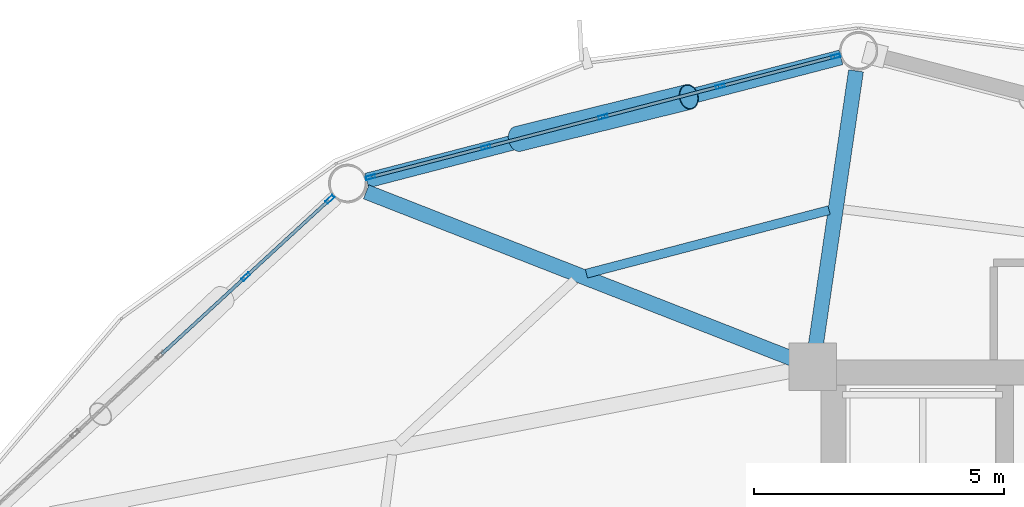
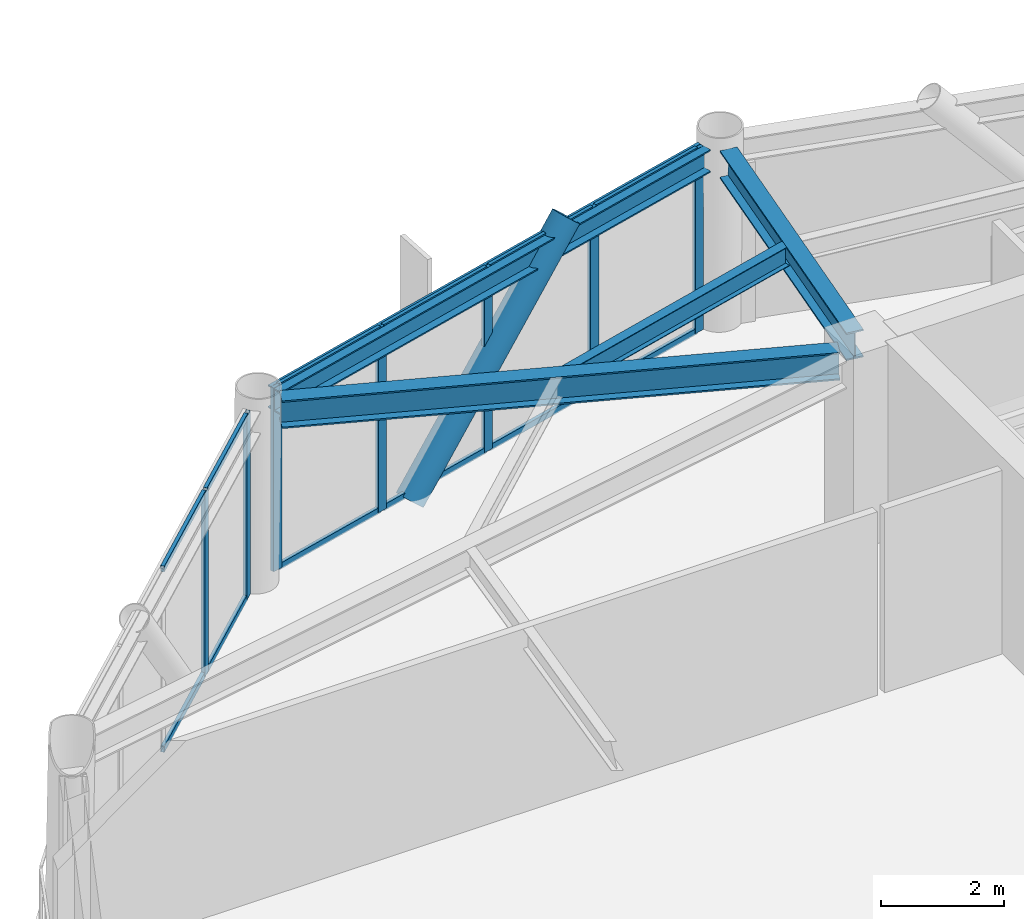
# One storey, part 17 of 24: 20 members, 4 beams, 2 elements without a shape of their own.
"""IFC4 building model written with IfcOpenShell, lengths in metres."""

from ifc_helpers import new_model, si_unit, direction, frame, origin, origin_2d, place, context, subcontext, project, spatial, hollow_rectangle, hollow_circle, i_section, extrude, material, layer, layer_set, material_profile, profile_set, type_object, element, aggregate, save


model = new_model("IFC4")

# Units and contexts
model_context = context("Model", 3, precision=1e-05, world=origin(), true_north=direction((0.0, 1.0)))
body_context = subcontext(model_context, "Body", "Model", "MODEL_VIEW")
ifc_project = project(units=[si_unit("LENGTHUNIT", "METRE"), si_unit("AREAUNIT", "SQUARE_METRE"), si_unit("VOLUMEUNIT", "CUBIC_METRE"), si_unit("PLANEANGLEUNIT", "RADIAN"), si_unit("MASSUNIT", "GRAM", prefix="KILO")], contexts=[model_context])

# Site, building, storey
site_placement = place(None, origin())
site = spatial("IfcSite", under=ifc_project, at=site_placement, CompositionType="ELEMENT")
building_placement = place(site_placement, origin())
building = spatial("IfcBuilding", under=site, at=building_placement, Name="Varnakorn Sky Granary", CompositionType="ELEMENT")
storey_placement = place(building_placement, frame((0.0, 0.0, 161.699951171875)))
storey = spatial("IfcBuildingStorey", under=building, at=storey_placement, Name="L40", CompositionType="ELEMENT", Elevation=161.699951171875)

# Beams
ifc_material_1 = material(Name="Steel S355JR", Category="steel")
ifc_material_profile_1 = material_profile(ifc_material_1, i_section(OverallWidth=0.300048828125, OverallDepth=0.550048828125, WebThickness=0.014892578125, FlangeThickness=0.029052734375, at=origin_2d()), Name="HE 550 B")
ifc_profile_set_1 = profile_set([ifc_material_profile_1], Name="Steel S355JR")
beam_type_1 = type_object("IfcBeamType", Name="BM-RAD-Z3", PredefinedType="BEAM", material=ifc_profile_set_1)
beam_1_placement = place(storey_placement, frame((-2.359130859375, 13.03564453125, 3.364990234375), z_axis=(0.145017308743, 0.989429118313, 0.0), x_axis=(-0.989429118313, 0.145017308743, 0.0)))
element("IfcBeam", 1, at=beam_1_placement, inside=storey, type_object=beam_type_1, Name="Radial Floor Girder RG04 L40", PredefinedType="BEAM", context=body_context, shape_type="SweptSolid", body=[
    extrude(i_section(OverallWidth=0.300048828125, OverallDepth=0.550048828125, WebThickness=0.014892578125, FlangeThickness=0.029052734375, at=origin_2d()), origin(), (0.0, 0.0, 1.0), 5.55908203125),
])
beam_2_placement = place(storey_placement, frame((-2.81103515625, 12.773193359375, 3.364990234375), z_axis=(-0.931199956697, 0.364508766215, 0.0), x_axis=(-0.364508766215, -0.931199956697, 0.0)))
element("IfcBeam", 2, at=beam_2_placement, inside=storey, type_object=beam_type_1, Name="Radial Floor Girder RG05 L40", PredefinedType="BEAM", context=body_context, shape_type="SweptSolid", body=[
    extrude(i_section(OverallWidth=0.300048828125, OverallDepth=0.550048828125, WebThickness=0.014892578125, FlangeThickness=0.029052734375, at=origin_2d()), origin(), (0.0, 0.0, 1.0), 9.169921875),
])
ifc_material_profile_2 = material_profile(ifc_material_1, i_section(OverallWidth=0.179931640625, OverallDepth=0.39990234375, WebThickness=0.008544921875, FlangeThickness=0.013427734375, at=origin_2d()), Name="IPE 400")
ifc_profile_set_2 = profile_set([ifc_material_profile_2], Name="Steel S355JR")
beam_type_2 = type_object("IfcBeamType", Name="BM-SEC-Z3", PredefinedType="BEAM", material=ifc_profile_set_2)
beam_3_placement = place(storey_placement, frame((-2.091552734375, 15.750244140625, 3.43994140625), z_axis=(-0.967419060301, -0.253180492468, 0.0), x_axis=(0.253180492468, -0.967419060301, 0.0)))
element("IfcBeam", 3, at=beam_3_placement, inside=storey, type_object=beam_type_2, Name="Secondary Floor Chord Beam MSB04 L40", PredefinedType="BEAM", context=body_context, shape_type="SweptSolid", body=[
    extrude(i_section(OverallWidth=0.179931640625, OverallDepth=0.39990234375, WebThickness=0.008544921875, FlangeThickness=0.013427734375, at=origin_2d()), origin(), (0.0, 0.0, 1.0), 5.017333984375),
])
ifc_material_profile_3 = material_profile(ifc_material_1, i_section(OverallWidth=0.300048828125, OverallDepth=0.449951171875, WebThickness=0.013916015625, FlangeThickness=0.02587890625, at=origin_2d()), Name="HE 450 B")
ifc_profile_set_3 = profile_set([ifc_material_profile_3], Name="Steel S355JR")
beam_type_3 = type_object("IfcBeamType", Name="BM-SPD-Z3", PredefinedType="SPANDREL", material=ifc_profile_set_3)
beam_4_placement = place(storey_placement, frame((-1.854248046875, 18.805908203125, 3.4150390625), z_axis=(-0.967844713662, -0.251548425232, 0.0), x_axis=(0.251548425232, -0.967844713662, 0.0)))
element("IfcBeam", 4, at=beam_4_placement, inside=storey, type_object=beam_type_3, Name="Perimeter Spandrel Ring Beam RB04 L40", PredefinedType="SPANDREL", context=body_context, shape_type="SweptSolid", body=[
    extrude(i_section(OverallWidth=0.300048828125, OverallDepth=0.449951171875, WebThickness=0.013916015625, FlangeThickness=0.02587890625, at=origin_2d()), origin(), (0.0, 0.0, 1.0), 9.797607421875),
])

# Curtain wall, members
ifc_material_2 = material(Name="Anodised Bronze Aluminium Alloy 6063-T6", Category="aluminium")
ifc_layer = layer(ifc_material_2, 0.179931640625, Name="Anodised Bronze Aluminium Alloy 6063-T6")
ifc_layer_set = layer_set([ifc_layer], Name="Anodised Bronze Aluminium Alloy 6063-T6")
curtain_wall_type = type_object("IfcCurtainWallType", Name="CW-FRM-2", PredefinedType="USERDEFINED", material=ifc_layer_set)
curtain_wall_1_placement = place(storey_placement, origin())
curtain_wall_1 = element("IfcCurtainWall", 5, at=curtain_wall_1_placement, inside=storey, type_object=curtain_wall_type, Name="Unitised Curtain Wall CW4 CW-L40-B04", ObjectType="CURTAIN WALL", PredefinedType="USERDEFINED")
ifc_material_profile_4 = material_profile(ifc_material_2, hollow_rectangle(XDim=0.070068359375, YDim=0.18505859375, WallThickness=0.00390625, at=origin_2d()), Name="ALU MULL 70x185")
ifc_profile_set_4 = profile_set([ifc_material_profile_4], Name="Anodised Bronze Aluminium Alloy 6063-T6")
member_type_1 = type_object("IfcMemberType", Name="CW-FRM-2-MULL", PredefinedType="MULLION", material=ifc_profile_set_4)
member_1_placement = place(storey_placement, frame((-11.263427734375, 16.409423828125, 0.0), z_axis=(0.0, 0.0, 1.0), x_axis=(-0.251362548835, 0.967893004956, 0.0)))
member_1 = element("IfcMember", 6, at=member_1_placement, type_object=member_type_1, Name="CW4 mullion 1", PredefinedType="MULLION", context=body_context, shape_type="SweptSolid", body=[
    extrude(hollow_rectangle(XDim=0.070068359375, YDim=0.18505859375, WallThickness=0.00390625, at=origin_2d()), origin(), (0.0, 0.0, 1.0), 3.64013671875),
])
member_2_placement = place(storey_placement, frame((-8.95458984375, 17.009033203125, 0.0), z_axis=(0.0, 0.0, 1.0), x_axis=(-0.251362548835, 0.967893004956, 0.0)))
member_2 = element("IfcMember", 7, at=member_2_placement, type_object=member_type_1, Name="CW4 mullion 2", PredefinedType="MULLION", context=body_context, shape_type="SweptSolid", body=[
    extrude(hollow_rectangle(XDim=0.070068359375, YDim=0.18505859375, WallThickness=0.00390625, at=origin_2d()), origin(), (0.0, 0.0, 1.0), 3.64013671875),
])
member_3_placement = place(storey_placement, frame((-6.612060546875, 17.617431640625, 0.0), z_axis=(0.0, 0.0, 1.0), x_axis=(-0.251362548835, 0.967893004956, 0.0)))
member_3 = element("IfcMember", 8, at=member_3_placement, type_object=member_type_1, Name="CW4 mullion 3", PredefinedType="MULLION", context=body_context, shape_type="SweptSolid", body=[
    extrude(hollow_rectangle(XDim=0.070068359375, YDim=0.18505859375, WallThickness=0.00390625, at=origin_2d()), origin(), (0.0, 0.0, 1.0), 3.64013671875),
])
member_4_placement = place(storey_placement, frame((-4.269287109375, 18.225830078125, 0.0), z_axis=(0.0, 0.0, 1.0), x_axis=(-0.251362548835, 0.967893004956, 0.0)))
member_4 = element("IfcMember", 9, at=member_4_placement, type_object=member_type_1, Name="CW4 mullion 4", PredefinedType="MULLION", context=body_context, shape_type="SweptSolid", body=[
    extrude(hollow_rectangle(XDim=0.070068359375, YDim=0.18505859375, WallThickness=0.00390625, at=origin_2d()), origin(), (0.0, 0.0, 1.0), 3.64013671875),
])
member_5_placement = place(storey_placement, frame((-1.960693359375, 18.825439453125, 0.0), z_axis=(0.0, 0.0, 1.0), x_axis=(-0.251362548835, 0.967893004956, 0.0)))
member_5 = element("IfcMember", 10, at=member_5_placement, type_object=member_type_1, Name="CW4 mullion 5", PredefinedType="MULLION", context=body_context, shape_type="SweptSolid", body=[
    extrude(hollow_rectangle(XDim=0.070068359375, YDim=0.18505859375, WallThickness=0.00390625, at=origin_2d()), origin(), (0.0, 0.0, 1.0), 3.64013671875),
])

curtain_wall_2_placement = place(storey_placement, origin())
curtain_wall_2 = element("IfcCurtainWall", 11, at=curtain_wall_2_placement, inside=storey, type_object=curtain_wall_type, Name="Unitised Curtain Wall CW4 CW-L40-B05", ObjectType="CURTAIN WALL", PredefinedType="USERDEFINED")
member_6_placement = place(storey_placement, frame((-13.75732421875, 14.41943359375, 0.0), z_axis=(0.0, 0.0, 1.0), x_axis=(-0.677011277308, 0.735972642425, 0.0)))
member_6 = element("IfcMember", 12, at=member_6_placement, type_object=member_type_1, Name="CW4 mullion 4", PredefinedType="MULLION", context=body_context, shape_type="SweptSolid", body=[
    extrude(hollow_rectangle(XDim=0.070068359375, YDim=0.18505859375, WallThickness=0.00390625, at=origin_2d()), origin(), (0.0, 0.0, 1.0), 3.64013671875),
])
member_7_placement = place(storey_placement, frame((-12.074462890625, 15.967529296875, 0.0), z_axis=(0.0, 0.0, 1.0), x_axis=(-0.677011277308, 0.735972642425, 0.0)))
member_7 = element("IfcMember", 13, at=member_7_placement, type_object=member_type_1, Name="CW4 mullion 5", PredefinedType="MULLION", context=body_context, shape_type="SweptSolid", body=[
    extrude(hollow_rectangle(XDim=0.070068359375, YDim=0.18505859375, WallThickness=0.00390625, at=origin_2d()), origin(), (0.0, 0.0, 1.0), 3.64013671875),
])

# Member
ifc_material_profile_5 = material_profile(ifc_material_2, hollow_rectangle(XDim=0.06494140625, YDim=0.1201171875, WallThickness=0.00341796875, at=origin_2d()), Name="ALU TRAN 65x120")
ifc_profile_set_5 = profile_set([ifc_material_profile_5], Name="Anodised Bronze Aluminium Alloy 6063-T6")
member_type_2 = type_object("IfcMemberType", Name="CW-FRM-2-TRAN", PredefinedType="USERDEFINED", material=ifc_profile_set_5)
member_8_placement = place(storey_placement, frame((-11.2294921875, 16.418212890625, 0.032470703125), z_axis=(0.967887701378, 0.251382969832, 0.0), x_axis=(-0.251382969832, 0.967887701378, 0.0)))
member_8 = element("IfcMember", 14, at=member_8_placement, type_object=member_type_2, Name="CW4 transom 1.1", ObjectType="TRANSOM", PredefinedType="USERDEFINED", context=body_context, shape_type="SweptSolid", body=[
    extrude(hollow_rectangle(XDim=0.06494140625, YDim=0.1201171875, WallThickness=0.00341796875, at=origin_2d()), origin(), (0.0, 0.0, 1.0), 2.3154296875),
])

member_9_placement = place(storey_placement, frame((-11.2294921875, 16.418212890625, 3.607666015625), z_axis=(0.967887701378, 0.251382969832, 0.0), x_axis=(-0.251382969832, 0.967887701378, 0.0)))
member_9 = element("IfcMember", 15, at=member_9_placement, type_object=member_type_2, Name="CW4 transom 1.2", ObjectType="TRANSOM", PredefinedType="USERDEFINED", context=body_context, shape_type="SweptSolid", body=[
    extrude(hollow_rectangle(XDim=0.06494140625, YDim=0.1201171875, WallThickness=0.00341796875, at=origin_2d()), origin(), (0.0, 0.0, 1.0), 2.3154296875),
])

member_10_placement = place(storey_placement, frame((-8.920654296875, 17.017822265625, 0.032470703125), z_axis=(0.967883702921, 0.251398364395, 0.0), x_axis=(-0.251398364395, 0.967883702921, 0.0)))
member_10 = element("IfcMember", 16, at=member_10_placement, type_object=member_type_2, Name="CW4 transom 2.1", ObjectType="TRANSOM", PredefinedType="USERDEFINED", context=body_context, shape_type="SweptSolid", body=[
    extrude(hollow_rectangle(XDim=0.06494140625, YDim=0.1201171875, WallThickness=0.00341796875, at=origin_2d()), origin(), (0.0, 0.0, 1.0), 2.35009765625),
])

member_11_placement = place(storey_placement, frame((-8.920654296875, 17.017822265625, 3.607666015625), z_axis=(0.967883702921, 0.251398364395, 0.0), x_axis=(-0.251398364395, 0.967883702921, 0.0)))
member_11 = element("IfcMember", 17, at=member_11_placement, type_object=member_type_2, Name="CW4 transom 2.2", ObjectType="TRANSOM", PredefinedType="USERDEFINED", context=body_context, shape_type="SweptSolid", body=[
    extrude(hollow_rectangle(XDim=0.06494140625, YDim=0.1201171875, WallThickness=0.00341796875, at=origin_2d()), origin(), (0.0, 0.0, 1.0), 2.35009765625),
])

member_12_placement = place(storey_placement, frame((-6.578125, 17.626220703125, 0.032470703125), z_axis=(0.967890267494, 0.251373089433, 0.0), x_axis=(-0.251373089433, 0.967890267494, 0.0)))
member_12 = element("IfcMember", 18, at=member_12_placement, type_object=member_type_2, Name="CW4 transom 3.1", ObjectType="TRANSOM", PredefinedType="USERDEFINED", context=body_context, shape_type="SweptSolid", body=[
    extrude(hollow_rectangle(XDim=0.06494140625, YDim=0.1201171875, WallThickness=0.00341796875, at=origin_2d()), origin(), (0.0, 0.0, 1.0), 2.350341796875),
])

member_13_placement = place(storey_placement, frame((-6.578125, 17.626220703125, 3.607666015625), z_axis=(0.967890267494, 0.251373089433, 0.0), x_axis=(-0.251373089433, 0.967890267494, 0.0)))
member_13 = element("IfcMember", 19, at=member_13_placement, type_object=member_type_2, Name="CW4 transom 3.2", ObjectType="TRANSOM", PredefinedType="USERDEFINED", context=body_context, shape_type="SweptSolid", body=[
    extrude(hollow_rectangle(XDim=0.06494140625, YDim=0.1201171875, WallThickness=0.00341796875, at=origin_2d()), origin(), (0.0, 0.0, 1.0), 2.350341796875),
])

member_14_placement = place(storey_placement, frame((-4.235595703125, 18.234619140625, 0.032470703125), z_axis=(0.967887701378, 0.251382969832, 0.0), x_axis=(-0.251382969832, 0.967887701378, 0.0)))
member_14 = element("IfcMember", 20, at=member_14_placement, type_object=member_type_2, Name="CW4 transom 4.1", ObjectType="TRANSOM", PredefinedType="USERDEFINED", context=body_context, shape_type="SweptSolid", body=[
    extrude(hollow_rectangle(XDim=0.06494140625, YDim=0.1201171875, WallThickness=0.00341796875, at=origin_2d()), origin(), (0.0, 0.0, 1.0), 2.3154296875),
])

member_15_placement = place(storey_placement, frame((-4.235595703125, 18.234619140625, 3.607666015625), z_axis=(0.967887701378, 0.251382969832, 0.0), x_axis=(-0.251382969832, 0.967887701378, 0.0)))
member_15 = element("IfcMember", 21, at=member_15_placement, type_object=member_type_2, Name="CW4 transom 4.2", ObjectType="TRANSOM", PredefinedType="USERDEFINED", context=body_context, shape_type="SweptSolid", body=[
    extrude(hollow_rectangle(XDim=0.06494140625, YDim=0.1201171875, WallThickness=0.00341796875, at=origin_2d()), origin(), (0.0, 0.0, 1.0), 2.3154296875),
])

aggregate(curtain_wall_1, [member_1, member_2, member_3, member_4, member_5, member_8, member_9, member_10, member_11, member_12, member_13, member_14, member_15])

member_16_placement = place(storey_placement, frame((-15.4404296875, 12.87109375, 0.032470703125), z_axis=(0.735928850951, 0.677058879521, 0.0), x_axis=(-0.677058879521, 0.735928850951, 0.0)))
member_16 = element("IfcMember", 22, at=member_16_placement, type_object=member_type_2, Name="CW4 transom 3.1", ObjectType="TRANSOM", PredefinedType="USERDEFINED", context=body_context, shape_type="SweptSolid", body=[
    extrude(hollow_rectangle(XDim=0.06494140625, YDim=0.1201171875, WallThickness=0.00341796875, at=origin_2d()), origin(), (0.0, 0.0, 1.0), 2.251953125),
])

member_17_placement = place(storey_placement, frame((-15.4404296875, 12.87109375, 3.607666015625), z_axis=(0.735928850951, 0.677058879521, 0.0), x_axis=(-0.677058879521, 0.735928850951, 0.0)))
member_17 = element("IfcMember", 23, at=member_17_placement, type_object=member_type_2, Name="CW4 transom 3.2", ObjectType="TRANSOM", PredefinedType="USERDEFINED", context=body_context, shape_type="SweptSolid", body=[
    extrude(hollow_rectangle(XDim=0.06494140625, YDim=0.1201171875, WallThickness=0.00341796875, at=origin_2d()), origin(), (0.0, 0.0, 1.0), 2.251953125),
])

member_18_placement = place(storey_placement, frame((-13.731689453125, 14.443115234375, 0.032470703125), z_axis=(0.736005636807, 0.676975407669, 0.0), x_axis=(-0.676975407669, 0.736005636807, 0.0)))
member_18 = element("IfcMember", 24, at=member_18_placement, type_object=member_type_2, Name="CW4 transom 4.1", ObjectType="TRANSOM", PredefinedType="USERDEFINED", context=body_context, shape_type="SweptSolid", body=[
    extrude(hollow_rectangle(XDim=0.06494140625, YDim=0.1201171875, WallThickness=0.00341796875, at=origin_2d()), origin(), (0.0, 0.0, 1.0), 2.216796875),
])

member_19_placement = place(storey_placement, frame((-13.731689453125, 14.443115234375, 3.607666015625), z_axis=(0.736005636807, 0.676975407669, 0.0), x_axis=(-0.676975407669, 0.736005636807, 0.0)))
member_19 = element("IfcMember", 25, at=member_19_placement, type_object=member_type_2, Name="CW4 transom 4.2", ObjectType="TRANSOM", PredefinedType="USERDEFINED", context=body_context, shape_type="SweptSolid", body=[
    extrude(hollow_rectangle(XDim=0.06494140625, YDim=0.1201171875, WallThickness=0.00341796875, at=origin_2d()), origin(), (0.0, 0.0, 1.0), 2.216796875),
])

aggregate(curtain_wall_2, [member_6, member_7, member_16, member_17, member_18, member_19])

ifc_material_3 = material(Name="Steel S460M", Category="steel")
ifc_material_profile_6 = material_profile(ifc_material_3, hollow_circle(Radius=0.25390625, WallThickness=0.01806640625, at=origin_2d()), Name="CHS 508x18")
ifc_profile_set_6 = profile_set([ifc_material_profile_6], Name="Steel S460M")
member_type_3 = type_object("IfcMemberType", Name="MB-DIAG-T2", PredefinedType="BRACE", material=ifc_profile_set_6)
member_20_placement = place(storey_placement, frame((-8.31591796875, 17.1748046875, -0.1298828125), z_axis=(0.648893710655, 0.159489585267, 0.743975822499), x_axis=(-0.238683066588, 0.971097520192, 0.0)))
element("IfcMember", 26, at=member_20_placement, inside=storey, type_object=member_type_3, Name="Perimeter CHS Diagrid Brace DG04 L40", PredefinedType="BRACE", context=body_context, shape_type="SweptSolid", body=[
    extrude(hollow_circle(Radius=0.25390625, WallThickness=0.01806640625, at=origin_2d()), origin(), (0.0, 0.0, 1.0), 5.268798828125),
])

save(model, "model.ifc")
